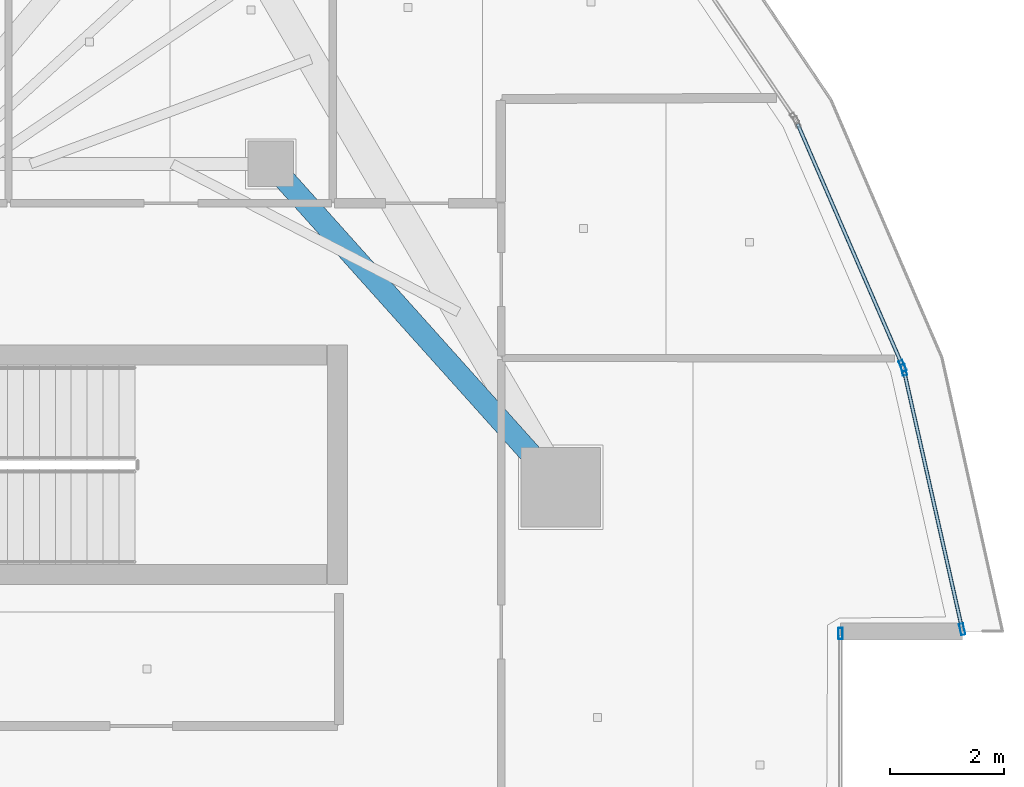
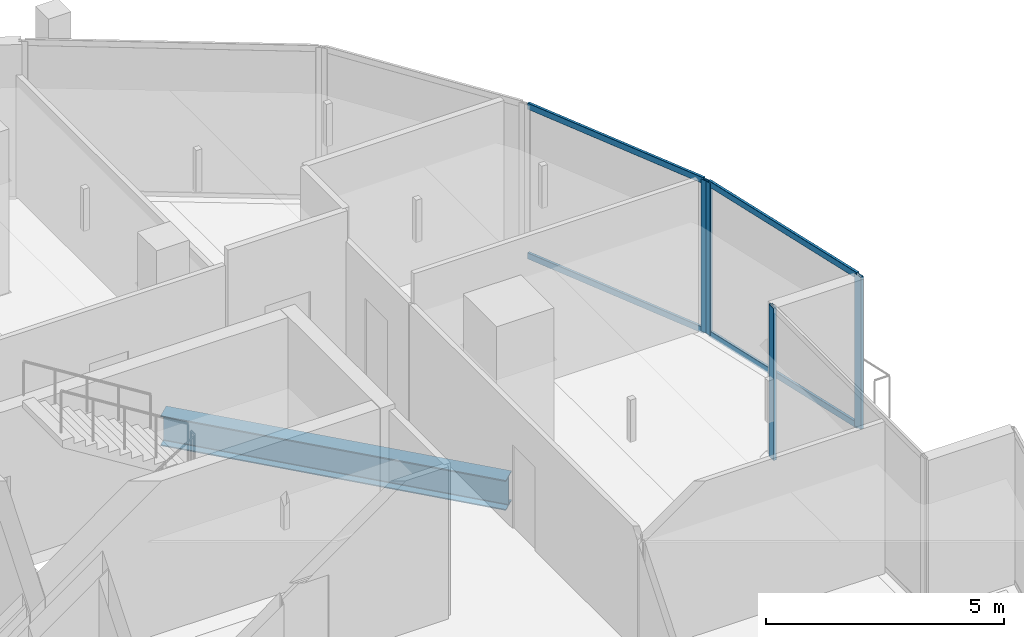
# One storey, part 11 of 24: 8 members, 1 beam, 3 elements without a shape of their own.
"""IFC4 building model written with IfcOpenShell, lengths in metres."""

from ifc_helpers import new_model, si_unit, direction, frame, origin, origin_2d, place, context, subcontext, project, spatial, hollow_rectangle, i_section, extrude, material, layer, layer_set, material_profile, profile_set, type_object, element, aggregate, save


model = new_model("IFC4")

# Units and contexts
model_context = context("Model", 3, precision=1e-05, world=origin(), true_north=direction((0.0, 1.0)))
body_context = subcontext(model_context, "Body", "Model", "MODEL_VIEW")
ifc_project = project(units=[si_unit("LENGTHUNIT", "METRE"), si_unit("AREAUNIT", "SQUARE_METRE"), si_unit("VOLUMEUNIT", "CUBIC_METRE"), si_unit("PLANEANGLEUNIT", "RADIAN"), si_unit("MASSUNIT", "GRAM", prefix="KILO")], contexts=[model_context])

# Site, building, storey
site_placement = place(None, origin())
site = spatial("IfcSite", under=ifc_project, at=site_placement, CompositionType="ELEMENT")
building_placement = place(site_placement, origin())
building = spatial("IfcBuilding", under=site, at=building_placement, Name="Qorvath Tower", CompositionType="ELEMENT")
storey_placement = place(building_placement, frame((0.0, 0.0, 318.60009765625)))
storey = spatial("IfcBuildingStorey", under=building, at=storey_placement, Name="L74", CompositionType="ELEMENT", Elevation=318.60009765625)

# Beam
ifc_material_1 = material(Name="Steel ASTM A992 Grade 50", Category="steel")
ifc_material_profile_1 = material_profile(ifc_material_1, i_section(OverallWidth=0.381103515625, OverallDepth=0.77294921875, WebThickness=0.0166015625, FlangeThickness=0.027099609375, FilletRadius=0.01904296875, at=origin_2d()), Name="W30x173")
ifc_profile_set_1 = profile_set([ifc_material_profile_1], Name="Steel ASTM A992 Grade 50")
beam_type = type_object("IfcBeamType", Name="BM-FG3", PredefinedType="BEAM", material=ifc_profile_set_1)
beam_placement = place(storey_placement, frame((-17.199951171875, 11.449951171875, -0.676513671875), z_axis=(0.667543184261, -0.744571082669, 0.0), x_axis=(0.744571082669, 0.667543184261, 0.0)))
element("IfcBeam", 1, at=beam_placement, inside=storey, type_object=beam_type, Name="Radial Floor Girder CC2-MC5 L74", PredefinedType="BEAM", context=body_context, shape_type="SweptSolid", body=[
    extrude(i_section(OverallWidth=0.381103515625, OverallDepth=0.77294921875, WebThickness=0.0166015625, FlangeThickness=0.027099609375, FilletRadius=0.01904296875, at=origin_2d()), origin(), (0.0, 0.0, 1.0), 7.644775390625),
])

# Curtain wall, member
ifc_material_2 = material(Name="Anodised aluminium and triple low-E glass", Category="aluminium")
ifc_layer = layer(ifc_material_2, 0.179931640625)
ifc_layer_set = layer_set([ifc_layer], Name="CW-SYS-4")
curtain_wall_type = type_object("IfcCurtainWallType", Name="CW-SYS-4", PredefinedType="NOTDEFINED", material=ifc_layer_set)
curtain_wall_1_placement = place(storey_placement, origin())
curtain_wall_1 = element("IfcCurtainWall", 2, at=curtain_wall_1_placement, inside=storey, type_object=curtain_wall_type, Name="Curtain Wall CW-4 CW-T-L74-9.1", PredefinedType="NOTDEFINED")
ifc_material_3 = material(Name="Anodised aluminium 6063-T6", Category="aluminium")
ifc_material_profile_2 = material_profile(ifc_material_3, hollow_rectangle(XDim=0.074951171875, YDim=0.199951171875, WallThickness=0.00390625, InnerFilletRadius=0.00390625, OuterFilletRadius=0.008056640625, at=origin_2d()), Name="CWM 200x75")
ifc_profile_set_2 = profile_set([ifc_material_profile_2], Name="Anodised aluminium 6063-T6")
member_type_1 = type_object("IfcMemberType", Name="CWM-200", PredefinedType="MULLION", material=ifc_profile_set_2)
member_1_placement = place(storey_placement, frame((-7.169677734375, 3.186279296875, 0.0), z_axis=(0.0, 0.0, 1.0), x_axis=(-1.0, 0.0, 0.0)))
member_1 = element("IfcMember", 3, at=member_1_placement, type_object=member_type_1, Name="CW-4 mullion 2", PredefinedType="MULLION", context=body_context, shape_type="SweptSolid", body=[
    extrude(hollow_rectangle(XDim=0.074951171875, YDim=0.199951171875, WallThickness=0.00390625, InnerFilletRadius=0.00390625, OuterFilletRadius=0.008056640625, at=origin_2d()), origin(), (0.0, 0.0, 1.0), 3.909912109375),
])
aggregate(curtain_wall_1, [member_1])

# Curtain wall, members
curtain_wall_2_placement = place(storey_placement, origin())
curtain_wall_2 = element("IfcCurtainWall", 4, at=curtain_wall_2_placement, inside=storey, type_object=curtain_wall_type, Name="Curtain Wall CW-4 CW-T-L74-11.1", PredefinedType="NOTDEFINED")
member_2_placement = place(storey_placement, frame((-5.02880859375, 3.260498046875, 0.0), z_axis=(0.0, 0.0, 1.0), x_axis=(-0.975596914118, -0.219569262793, 0.0)))
member_2 = element("IfcMember", 5, at=member_2_placement, type_object=member_type_1, Name="CW-4 mullion 1", PredefinedType="MULLION", context=body_context, shape_type="SweptSolid", body=[
    extrude(hollow_rectangle(XDim=0.074951171875, YDim=0.199951171875, WallThickness=0.00390625, InnerFilletRadius=0.00390625, OuterFilletRadius=0.008056640625, at=origin_2d()), origin(), (0.0, 0.0, 1.0), 3.909912109375),
])
member_3_placement = place(storey_placement, frame((-6.055908203125, 7.82470703125, 0.0), z_axis=(0.0, 0.0, 1.0), x_axis=(-0.975596914118, -0.219569262793, 0.0)))
member_3 = element("IfcMember", 6, at=member_3_placement, type_object=member_type_1, Name="CW-4 mullion 2", PredefinedType="MULLION", context=body_context, shape_type="SweptSolid", body=[
    extrude(hollow_rectangle(XDim=0.074951171875, YDim=0.199951171875, WallThickness=0.00390625, InnerFilletRadius=0.00390625, OuterFilletRadius=0.008056640625, at=origin_2d()), origin(), (0.0, 0.0, 1.0), 3.909912109375),
])

# Curtain wall, member
curtain_wall_3_placement = place(storey_placement, origin())
curtain_wall_3 = element("IfcCurtainWall", 7, at=curtain_wall_3_placement, inside=storey, type_object=curtain_wall_type, Name="Curtain Wall CW-4 CW-T-L74-12.1", PredefinedType="NOTDEFINED")
member_4_placement = place(storey_placement, frame((-6.0791015625, 7.895751953125, 0.0), z_axis=(0.0, 0.0, 1.0), x_axis=(-0.917466577873, -0.397812868679, 0.0)))
member_4 = element("IfcMember", 8, at=member_4_placement, type_object=member_type_1, Name="CW-4 mullion 1", PredefinedType="MULLION", context=body_context, shape_type="SweptSolid", body=[
    extrude(hollow_rectangle(XDim=0.074951171875, YDim=0.199951171875, WallThickness=0.00390625, InnerFilletRadius=0.00390625, OuterFilletRadius=0.008056640625, at=origin_2d()), origin(), (0.0, 0.0, 1.0), 3.909912109375),
])

# Member
ifc_material_4 = material(Name="Anodised aluminium 6063-T6", Category="aluminium")
ifc_material_profile_3 = material_profile(ifc_material_4, hollow_rectangle(XDim=0.06494140625, YDim=0.159912109375, WallThickness=0.00341796875, InnerFilletRadius=0.00341796875, OuterFilletRadius=0.007080078125, at=origin_2d()), Name="CWT 160x65")
ifc_profile_set_3 = profile_set([ifc_material_profile_3], Name="Anodised aluminium 6063-T6")
member_type_2 = type_object("IfcMemberType", Name="CWT-160", PredefinedType="USERDEFINED", material=ifc_profile_set_3)
member_5_placement = place(storey_placement, frame((-5.036865234375, 3.297119140625, 0.032470703125), z_axis=(-0.219619463429, 0.975585614533, 0.0), x_axis=(-0.975585614533, -0.219619463429, 0.0)))
member_5 = element("IfcMember", 9, at=member_5_placement, type_object=member_type_2, Name="CW-4 transom 1.1", ObjectType="TRANSOM", PredefinedType="USERDEFINED", context=body_context, shape_type="SweptSolid", body=[
    extrude(hollow_rectangle(XDim=0.06494140625, YDim=0.159912109375, WallThickness=0.00341796875, InnerFilletRadius=0.00341796875, OuterFilletRadius=0.007080078125, at=origin_2d()), origin(), (0.0, 0.0, 1.0), 4.603271484375),
])

member_6_placement = place(storey_placement, frame((-5.036865234375, 3.297119140625, 3.87744140625), z_axis=(-0.219619463429, 0.975585614533, 0.0), x_axis=(-0.975585614533, -0.219619463429, 0.0)))
member_6 = element("IfcMember", 10, at=member_6_placement, type_object=member_type_2, Name="CW-4 transom 1.2", ObjectType="TRANSOM", PredefinedType="USERDEFINED", context=body_context, shape_type="SweptSolid", body=[
    extrude(hollow_rectangle(XDim=0.06494140625, YDim=0.159912109375, WallThickness=0.00341796875, InnerFilletRadius=0.00341796875, OuterFilletRadius=0.007080078125, at=origin_2d()), origin(), (0.0, 0.0, 1.0), 4.603271484375),
])

aggregate(curtain_wall_2, [member_2, member_3, member_5, member_6])

member_7_placement = place(storey_placement, frame((-6.093994140625, 7.93017578125, 0.032470703125), z_axis=(-0.397845547041, 0.917452407866, 0.0), x_axis=(-0.917452407866, -0.397845547041, 0.0)))
member_7 = element("IfcMember", 11, at=member_7_placement, type_object=member_type_2, Name="CW-4 transom 1.1", ObjectType="TRANSOM", PredefinedType="USERDEFINED", context=body_context, shape_type="SweptSolid", body=[
    extrude(hollow_rectangle(XDim=0.06494140625, YDim=0.159912109375, WallThickness=0.00341796875, InnerFilletRadius=0.00341796875, OuterFilletRadius=0.007080078125, at=origin_2d()), origin(), (0.0, 0.0, 1.0), 4.603759765625),
])

member_8_placement = place(storey_placement, frame((-6.093994140625, 7.93017578125, 3.87744140625), z_axis=(-0.397845547041, 0.917452407866, 0.0), x_axis=(-0.917452407866, -0.397845547041, 0.0)))
member_8 = element("IfcMember", 12, at=member_8_placement, type_object=member_type_2, Name="CW-4 transom 1.2", ObjectType="TRANSOM", PredefinedType="USERDEFINED", context=body_context, shape_type="SweptSolid", body=[
    extrude(hollow_rectangle(XDim=0.06494140625, YDim=0.159912109375, WallThickness=0.00341796875, InnerFilletRadius=0.00341796875, OuterFilletRadius=0.007080078125, at=origin_2d()), origin(), (0.0, 0.0, 1.0), 4.603759765625),
])

aggregate(curtain_wall_3, [member_4, member_7, member_8])

save(model, "model.ifc")
